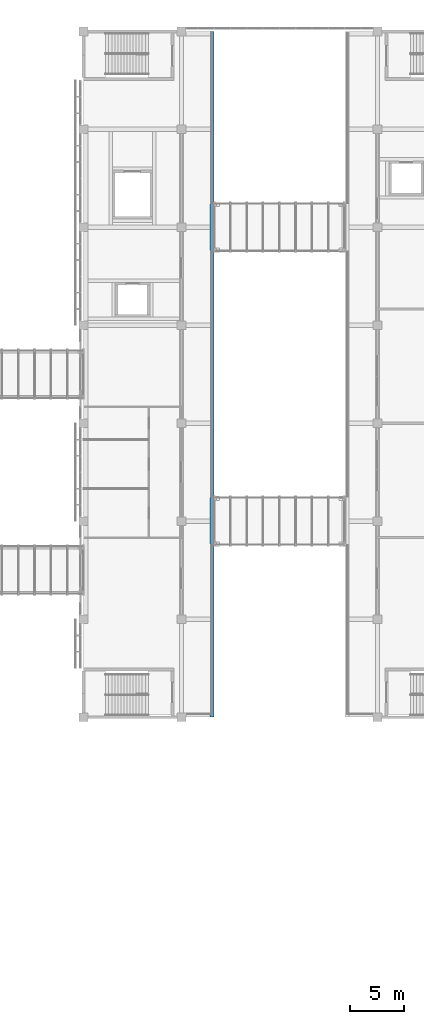
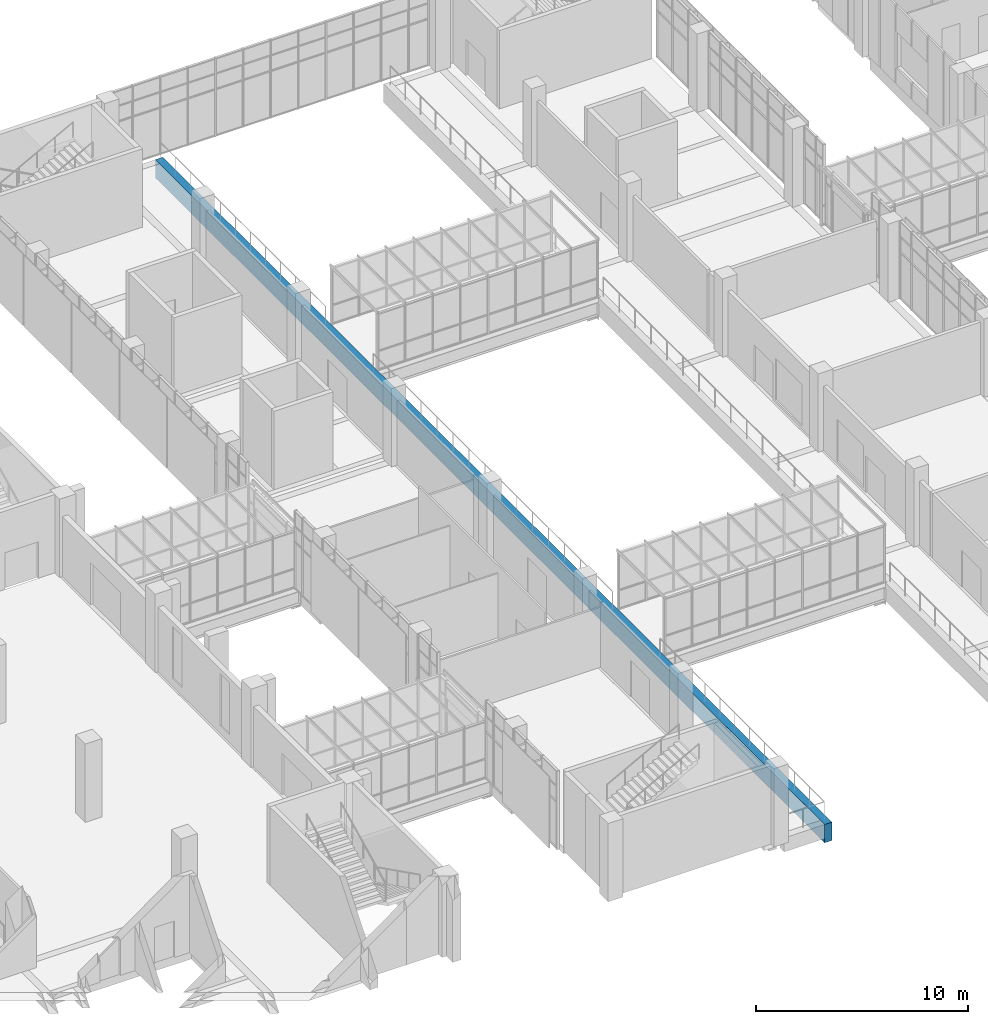
# One storey, part 18 of 88: 1 beam.
"""IFC4 building model written with IfcOpenShell, lengths in metres."""

from ifc_helpers import new_model, si_unit, direction, frame, origin, origin_2d, place, context, subcontext, project, spatial, rectangle, extrude, material, material_profile, profile_set, type_object, element, save


model = new_model("IFC4")

# Units and contexts
model_context = context("Model", 3, precision=1e-05, world=origin(), true_north=direction((0.0, 1.0)))
body_context = subcontext(model_context, "Body", "Model", "MODEL_VIEW")
ifc_project = project(units=[si_unit("LENGTHUNIT", "METRE"), si_unit("AREAUNIT", "SQUARE_METRE"), si_unit("VOLUMEUNIT", "CUBIC_METRE"), si_unit("PLANEANGLEUNIT", "RADIAN"), si_unit("MASSUNIT", "GRAM", prefix="KILO")], contexts=[model_context])

# Site, building, storey
site_placement = place(None, origin())
site = spatial("IfcSite", under=ifc_project, at=site_placement, CompositionType="ELEMENT")
building_placement = place(site_placement, origin())
building = spatial("IfcBuilding", under=site, at=building_placement, Name="Guidao Yard Department Store", CompositionType="ELEMENT")
storey_placement = place(building_placement, frame((0.0, 0.0, 6.0)))
storey = spatial("IfcBuildingStorey", under=building, at=storey_placement, Name="L01", CompositionType="ELEMENT", Elevation=6.0)

# Beam
ifc_material = material(Name="Concrete C40", Category="concrete")
ifc_material_profile = material_profile(ifc_material, rectangle(XDim=0.39990234375, YDim=1.050048828125, at=origin_2d()), Name="Bridge landing beam 400 x 1050 C40")
ifc_profile_set = profile_set([ifc_material_profile], Name="Concrete C40")
beam_type = type_object("IfcBeamType", Name="Bridge landing beam 400 x 1050 C40", PredefinedType="BEAM", material=ifc_profile_set)
beam_placement = place(storey_placement, frame((83.800048828125, 45.0, -0.52490234375), z_axis=(0.0, 1.0, 0.0), x_axis=(-1.0, 0.0, 0.0)))
element("IfcBeam", 1, at=beam_placement, inside=storey, type_object=beam_type, Name="Beam LB07", PredefinedType="BEAM", context=body_context, shape_type="SweptSolid", body=[
    extrude(rectangle(XDim=0.39990234375, YDim=1.050048828125, at=origin_2d()), origin(), (0.0, 0.0, 1.0), 63.0),
])

save(model, "model.ifc")
